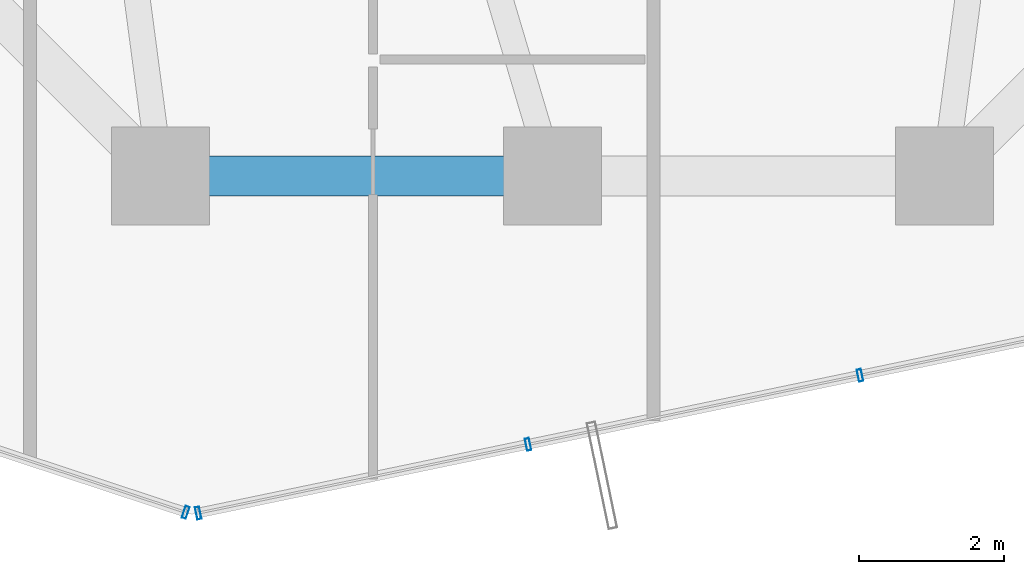
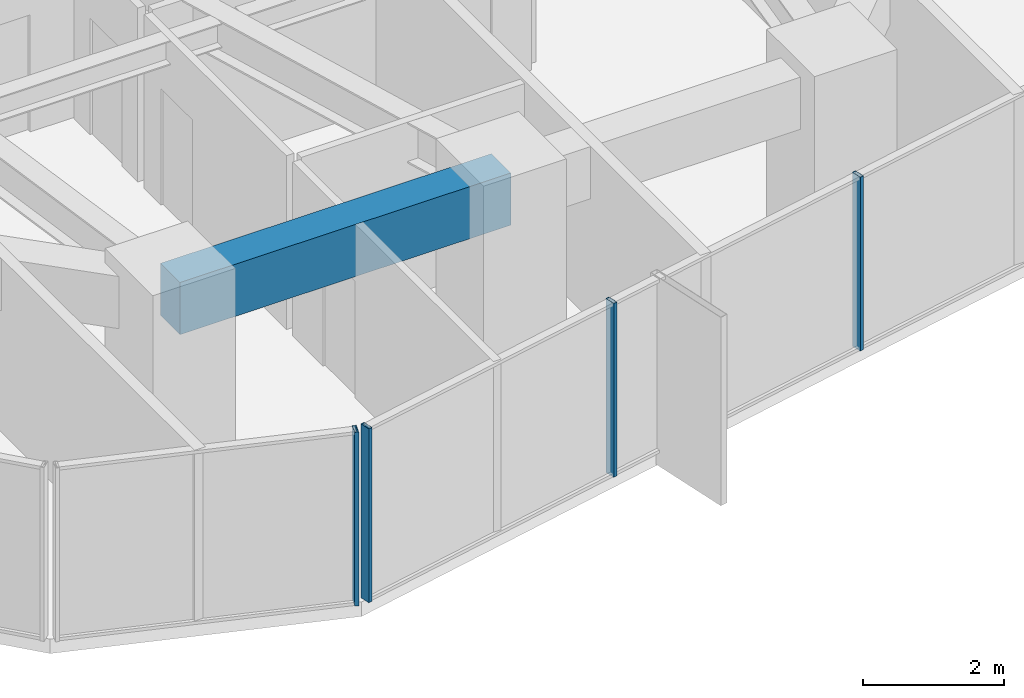
# One storey, part 6 of 38: 4 members, 1 beam, 2 elements without a shape of their own.
"""IFC4 building model written with IfcOpenShell, lengths in metres."""

from ifc_helpers import new_model, si_unit, direction, frame, origin, origin_2d, place, context, subcontext, project, spatial, rectangle, hollow_rectangle, extrude, source, transform, mapped, material, layer, layer_set, material_profile, profile_set, type_object, element, aggregate, save


model = new_model("IFC4")

# Units and contexts
model_context = context("Model", 3, precision=1e-05, world=origin(), true_north=direction((0.0, 1.0)))
body_context = subcontext(model_context, "Body", "Model", "MODEL_VIEW")
ifc_project = project(units=[si_unit("LENGTHUNIT", "METRE"), si_unit("AREAUNIT", "SQUARE_METRE"), si_unit("VOLUMEUNIT", "CUBIC_METRE"), si_unit("PLANEANGLEUNIT", "RADIAN"), si_unit("MASSUNIT", "GRAM", prefix="KILO")], contexts=[model_context])

# Site, building, storey
site_placement = place(None, origin())
site = spatial("IfcSite", under=ifc_project, at=site_placement, CompositionType="ELEMENT")
building_placement = place(site_placement, origin())
building = spatial("IfcBuilding", under=site, at=building_placement, Name="Veraguas Prism Commons", CompositionType="ELEMENT")
storey_placement = place(building_placement, frame((0.0, 0.0, 64.10009765625)))
storey = spatial("IfcBuildingStorey", under=building, at=storey_placement, Name="L17", CompositionType="ELEMENT", Elevation=64.10009765625)

# Beam
ifc_material_1 = material(Name="Concrete C50/60", Category="concrete")
ifc_material_profile_1 = material_profile(ifc_material_1, rectangle(XDim=0.550048828125, YDim=0.89990234375, at=origin_2d()), Name="RC550X900")
ifc_profile_set_1 = profile_set([ifc_material_profile_1], Name="Concrete C50/60")
beam_type = type_object("IfcBeamType", Name="Perimeter Spandrel Lower RC 550x900", PredefinedType="SPANDREL", material=ifc_profile_set_1)
beam_placement = place(storey_placement, frame((18.60009765625, 6.39990234375, 2.5498046875), z_axis=(1.0, 0.0, 0.0), x_axis=(0.0, 1.0, 0.0)))
element("IfcBeam", 1, at=beam_placement, inside=storey, type_object=beam_type, Name="Perimeter Spandrel Beam L17-SP10", PredefinedType="SPANDREL", context=body_context, shape_type="SweptSolid", body=[
    extrude(rectangle(XDim=0.550048828125, YDim=0.89990234375, at=origin_2d()), origin(), (0.0, 0.0, 1.0), 5.39990234375),
])

# Curtain wall, members
ifc_material_2 = material(Name="Anodised aluminium EN AW-6063 T6", Category="aluminium")
ifc_layer = layer(ifc_material_2, 0.169921875, Name="Unitised Flush Curtain Wall Zone 1", Category="aluminium")
ifc_layer_set = layer_set([ifc_layer], Name="Anodised aluminium EN AW-6063 T6")
curtain_wall_type = type_object("IfcCurtainWallType", Name="Unitised Flush Curtain Wall Zone 1", PredefinedType="NOTDEFINED", material=ifc_layer_set)
curtain_wall_1_placement = place(storey_placement, origin())
curtain_wall_1 = element("IfcCurtainWall", 2, at=curtain_wall_1_placement, inside=storey, type_object=curtain_wall_type, Name="Tower Facade Curtain Wall L17-F5", PredefinedType="NOTDEFINED")
ifc_material_profile_2 = material_profile(ifc_material_2, hollow_rectangle(XDim=0.06005859375, YDim=0.169921875, WallThickness=0.00390625, at=origin_2d()), Name="AL60X170X4")
ifc_profile_set_2 = profile_set([ifc_material_profile_2], Name="Anodised aluminium EN AW-6063 T6")
member_type = type_object("IfcMemberType", Name="Curtain Wall Mullion Lower AL 60x170x4", PredefinedType="MULLION", material=ifc_profile_set_2)
shared_shape = source(origin(), body_context, "Body", "SweptSolid", [
    extrude(hollow_rectangle(XDim=0.06005859375, YDim=0.169921875, WallThickness=0.00390625, at=origin_2d()), origin(), (0.0, 0.0, 1.0), 3.0),
])
member_1_placement = place(storey_placement, frame((19.11962890625, 1.753662109375, 0.0), z_axis=(0.0, 0.0, 1.0), x_axis=(0.979008848209, 0.203817749789, 0.0)))
member_1 = element("IfcMember", 3, at=member_1_placement, type_object=member_type, Name="CW-Z1 Mullion 1", PredefinedType="MULLION", context=body_context, shape_type="MappedRepresentation", body=[
    mapped(shared_shape, transform((0.0, 0.0, 0.0), scale=1.0)),
])
member_2_placement = place(storey_placement, frame((23.663330078125, 2.69970703125, 0.0), z_axis=(0.0, 0.0, 1.0), x_axis=(0.979008848209, 0.203817749789, 0.0)))
member_2 = element("IfcMember", 4, at=member_2_placement, type_object=member_type, Name="CW-Z1 Mullion 2", PredefinedType="MULLION", context=body_context, shape_type="MappedRepresentation", body=[
    mapped(shared_shape, transform((0.0, 0.0, 0.0), scale=1.0)),
])
member_3_placement = place(storey_placement, frame((28.236083984375, 3.651611328125, 0.0), z_axis=(0.0, 0.0, 1.0), x_axis=(0.979008848209, 0.203817749789, 0.0)))
member_3 = element("IfcMember", 5, at=member_3_placement, type_object=member_type, Name="CW-Z1 Mullion 3", PredefinedType="MULLION", context=body_context, shape_type="MappedRepresentation", body=[
    mapped(shared_shape, transform((0.0, 0.0, 0.0), scale=1.0)),
])
aggregate(curtain_wall_1, [member_1, member_2, member_3])

# Curtain wall, member
curtain_wall_2_placement = place(storey_placement, origin())
curtain_wall_2 = element("IfcCurtainWall", 6, at=curtain_wall_2_placement, inside=storey, type_object=curtain_wall_type, Name="Chamfer Curtain Wall L17-C5", PredefinedType="NOTDEFINED")
member_4_placement = place(storey_placement, frame((18.946044921875, 1.763671875, 0.0), z_axis=(0.0, 0.0, 1.0), x_axis=(0.949755407973, -0.312993075045, 0.0)))
member_4 = element("IfcMember", 7, at=member_4_placement, type_object=member_type, Name="CW-Z1 Mullion 2", PredefinedType="MULLION", context=body_context, shape_type="MappedRepresentation", body=[
    mapped(shared_shape, transform((0.0, 0.0, 0.0), scale=1.0)),
])
aggregate(curtain_wall_2, [member_4])

save(model, "model.ifc")
